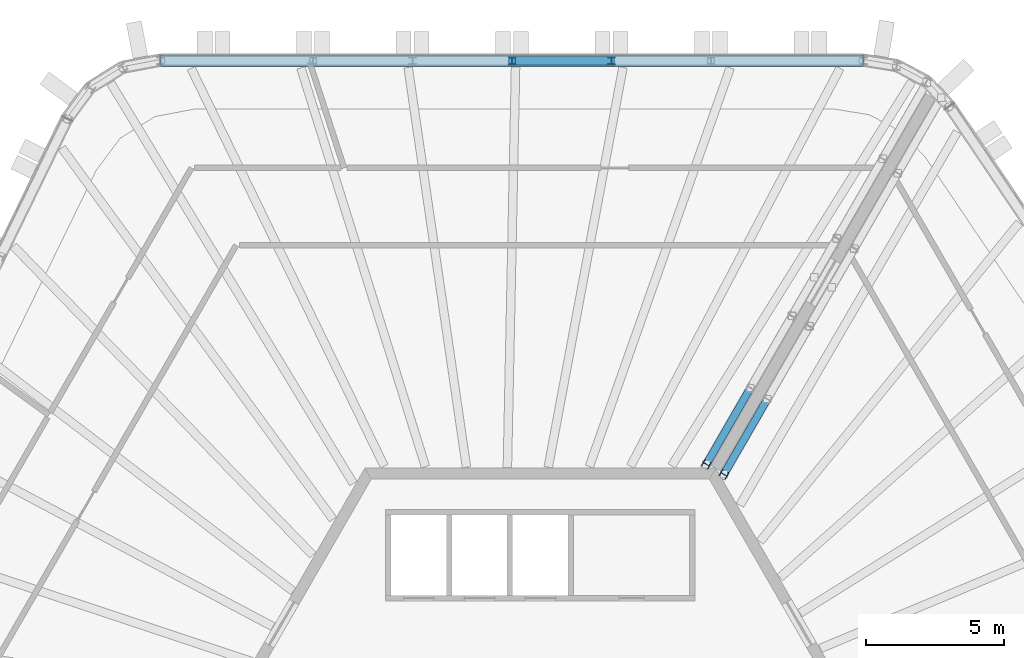
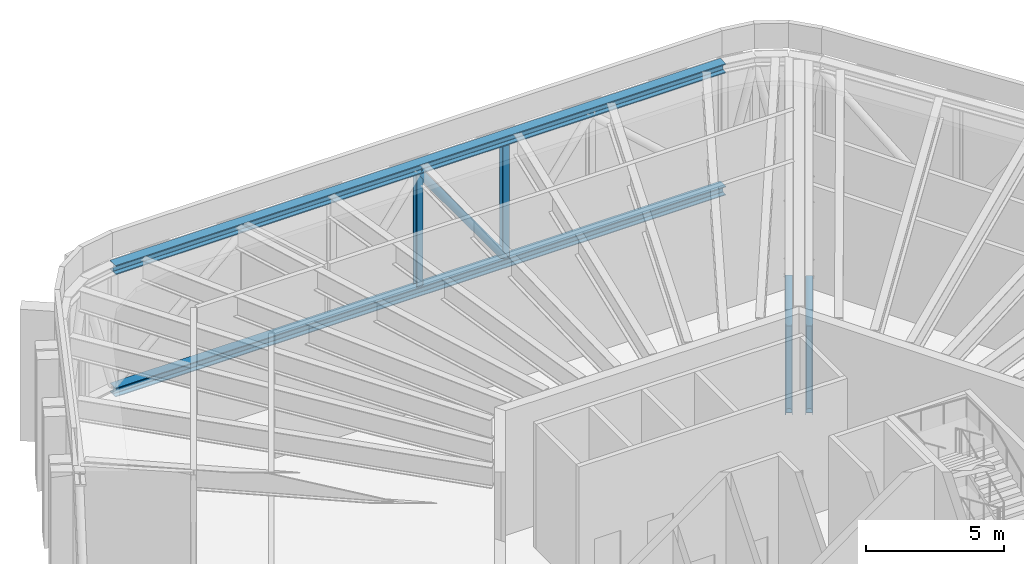
# One storey, part 7 of 19: 9 members.
"""IFC4 building model written with IfcOpenShell, lengths in metres."""

from ifc_helpers import new_model, si_unit, direction, frame, origin, origin_2d, place, context, subcontext, project, spatial, hollow_circle, i_section, extrude, material, material_profile, profile_set, type_object, element, save


model = new_model("IFC4")

# Units and contexts
model_context = context("Model", 3, precision=1e-05, world=origin(), true_north=direction((0.0, 1.0)))
body_context = subcontext(model_context, "Body", "Model", "MODEL_VIEW")
ifc_project = project(units=[si_unit("LENGTHUNIT", "METRE"), si_unit("AREAUNIT", "SQUARE_METRE"), si_unit("VOLUMEUNIT", "CUBIC_METRE"), si_unit("PLANEANGLEUNIT", "RADIAN"), si_unit("MASSUNIT", "GRAM", prefix="KILO")], contexts=[model_context])

# Site, building, storey
site_placement = place(None, origin())
site = spatial("IfcSite", under=ifc_project, at=site_placement, CompositionType="ELEMENT")
building_placement = place(site_placement, origin())
building = spatial("IfcBuilding", under=site, at=building_placement, Name="Tarnside Tower", CompositionType="ELEMENT")
storey_placement = place(building_placement, frame((0.0, 0.0, 343.5)))
storey = spatial("IfcBuildingStorey", under=building, at=storey_placement, Name="L83", CompositionType="ELEMENT", Elevation=343.5)

# Members
ifc_material = material(Name="Steel S355", Category="steel")
ifc_material_profile_1 = material_profile(ifc_material, hollow_circle(Radius=0.136474609375, WallThickness=0.012451171875, at=origin_2d()), Name="CHS 273x12.5")
ifc_profile_set_1 = profile_set([ifc_material_profile_1], Name="Steel S355")
member_type_1 = type_object("IfcMemberType", Name="Outrigger diagonal CHS 273x12.5", PredefinedType="BRACE", material=ifc_profile_set_1)
member_1_placement = place(storey_placement, frame((6.01123046875, 11.1435546875, 0.8349609375), z_axis=(0.320070187034, 0.554393296727, 0.768246801436), x_axis=(-0.86603144555, 0.49998953521, 0.0)))
element("IfcMember", 1, at=member_1_placement, inside=storey, type_object=member_type_1, Name="Outrigger truss diagonal OR1A 1", PredefinedType="BRACE", context=body_context, shape_type="SweptSolid", body=[
    extrude(hollow_circle(Radius=0.136474609375, WallThickness=0.012451171875, at=origin_2d()), origin(), (0.0, 0.0, 1.0), 4.985595703125),
])
member_2_placement = place(storey_placement, frame((6.64501953125, 10.77783203125, 0.8349609375), z_axis=(0.317447797706, 0.549845588177, 0.772590916912), x_axis=(-0.866029291668, 0.499993265928, 0.0)))
element("IfcMember", 2, at=member_2_placement, inside=storey, type_object=member_type_1, Name="Outrigger truss diagonal OR1B 1", PredefinedType="BRACE", context=body_context, shape_type="SweptSolid", body=[
    extrude(hollow_circle(Radius=0.136474609375, WallThickness=0.012451171875, at=origin_2d()), origin(), (0.0, 0.0, 1.0), 4.95751953125),
])
ifc_material_profile_2 = material_profile(ifc_material, i_section(OverallWidth=0.26123046875, OverallDepth=0.2763671875, WebThickness=0.015380859375, FlangeThickness=0.025390625, FilletRadius=0.0126953125, at=origin_2d()), Name="UC 254x254x132")
ifc_profile_set_2 = profile_set([ifc_material_profile_2], Name="Steel S355")
member_type_2 = type_object("IfcMemberType", Name="Outrigger post UC 254x254x132", PredefinedType="POST", material=ifc_profile_set_2)
for number, where, z_axis, x_axis, name in (
    (3, (6.01123046875, 11.1435546875, 0.8349609375), (0.0, 0.0, 1.0), (0.5, 0.866025403784, 0.0), "Outrigger truss post OR1A 1"),
    (4, (6.64501953125, 10.77783203125, 0.8349609375), (0.0, 0.0, 1.0), (0.5, 0.866025403784, 0.0), "Outrigger truss post OR1B 1"),
):
    element("IfcMember", number, at=place(storey_placement, frame(where, z_axis=z_axis, x_axis=x_axis)), inside=storey, type_object=member_type_2, Name=name, PredefinedType="POST", context=body_context, shape_type="SweptSolid", body=[
        extrude(i_section(OverallWidth=0.26123046875, OverallDepth=0.2763671875, WebThickness=0.015380859375, FlangeThickness=0.025390625, FilletRadius=0.0126953125, at=origin_2d()), origin(), (0.0, 0.0, 1.0), 3.830078125),
    ])
ifc_material_profile_3 = material_profile(ifc_material, i_section(OverallWidth=0.39892578125, OverallDepth=0.3935546875, WebThickness=0.022705078125, FlangeThickness=0.03662109375, FilletRadius=0.01513671875, at=origin_2d()), Name="UC 356x406x287")
ifc_profile_set_3 = profile_set([ifc_material_profile_3], Name="Steel S355")
member_type_3 = type_object("IfcMemberType", Name="Truss chord UC 356x406x287", PredefinedType="CHORD", material=ifc_profile_set_3)
member_3_placement = place(storey_placement, frame((11.697509765625, 25.75, -0.103271484375), z_axis=(-1.0, 0.0, 0.0), x_axis=(0.0, -1.0, 0.0)))
element("IfcMember", 5, at=member_3_placement, inside=storey, type_object=member_type_3, Name="Belt truss bottom chord L83 run", PredefinedType="CHORD", context=body_context, shape_type="SweptSolid", body=[
    extrude(i_section(OverallWidth=0.39892578125, OverallDepth=0.3935546875, WebThickness=0.022705078125, FlangeThickness=0.03662109375, FilletRadius=0.01513671875, at=origin_2d()), origin(), (0.0, 0.0, 1.0), 25.444580078125),
])
ifc_material_profile_4 = material_profile(ifc_material, i_section(OverallWidth=0.403076171875, OverallDepth=0.406494140625, WebThickness=0.026611328125, FlangeThickness=0.04296875, FilletRadius=0.01513671875, at=origin_2d()), Name="UC 356x406x340")
ifc_profile_set_4 = profile_set([ifc_material_profile_4], Name="Steel S355")
member_type_4 = type_object("IfcMemberType", Name="Truss chord UC 356x406x340", PredefinedType="CHORD", material=ifc_profile_set_4)
member_4_placement = place(storey_placement, frame((11.697509765625, 25.75, 5.296875), z_axis=(-1.0, 0.0, 0.0), x_axis=(0.0, -1.0, 0.0)))
element("IfcMember", 6, at=member_4_placement, inside=storey, type_object=member_type_4, Name="Belt truss top chord L83 run", PredefinedType="CHORD", context=body_context, shape_type="SweptSolid", body=[
    extrude(i_section(OverallWidth=0.403076171875, OverallDepth=0.406494140625, WebThickness=0.026611328125, FlangeThickness=0.04296875, FilletRadius=0.01513671875, at=origin_2d()), origin(), (0.0, 0.0, 1.0), 25.444580078125),
])
ifc_material_profile_5 = material_profile(ifc_material, hollow_circle(Radius=0.161865234375, WallThickness=0.012451171875, at=origin_2d()), Name="CHS 323.9x12.5")
ifc_profile_set_5 = profile_set([ifc_material_profile_5], Name="Steel S355")
member_type_5 = type_object("IfcMemberType", Name="Truss diagonal CHS 323.9x12.5", PredefinedType="BRACE", material=ifc_profile_set_5)
member_5_placement = place(storey_placement, frame((2.5751953125, 25.75, 0.093505859375), z_axis=(-0.584315164504, 0.0, 0.811526825515), x_axis=(0.0, -1.0, 0.0)))
element("IfcMember", 7, at=member_5_placement, inside=storey, type_object=member_type_5, Name="Belt truss diagonal L83 3", PredefinedType="BRACE", context=body_context, shape_type="SweptSolid", body=[
    extrude(hollow_circle(Radius=0.161865234375, WallThickness=0.012451171875, at=origin_2d()), origin(), (0.0, 0.0, 1.0), 6.1611328125),
])
ifc_material_profile_6 = material_profile(ifc_material, i_section(OverallWidth=0.26123046875, OverallDepth=0.2763671875, WebThickness=0.015380859375, FlangeThickness=0.025390625, FilletRadius=0.0126953125, at=origin_2d()), Name="UC 254x254x132")
ifc_profile_set_6 = profile_set([ifc_material_profile_6], Name="Steel S355")
member_type_6 = type_object("IfcMemberType", Name="Truss post UC 254x254x132", PredefinedType="POST", material=ifc_profile_set_6)
for number, where, z_axis, x_axis, name in (
    (8, (2.5751953125, 25.75, 0.093505859375), (0.0, 0.0, 1.0), (-1.0, 0.0, 0.0), "Belt truss post L83 3"),
    (9, (-1.02490234375, 25.75, 0.093505859375), (0.0, 0.0, 1.0), (-1.0, 0.0, 0.0), "Belt truss post L83 4"),
):
    element("IfcMember", number, at=place(storey_placement, frame(where, z_axis=z_axis, x_axis=x_axis)), inside=storey, type_object=member_type_6, Name=name, PredefinedType="POST", context=body_context, shape_type="SweptSolid", body=[
        extrude(i_section(OverallWidth=0.26123046875, OverallDepth=0.2763671875, WebThickness=0.015380859375, FlangeThickness=0.025390625, FilletRadius=0.0126953125, at=origin_2d()), origin(), (0.0, 0.0, 1.0), 5.0),
    ])

save(model, "model.ifc")
